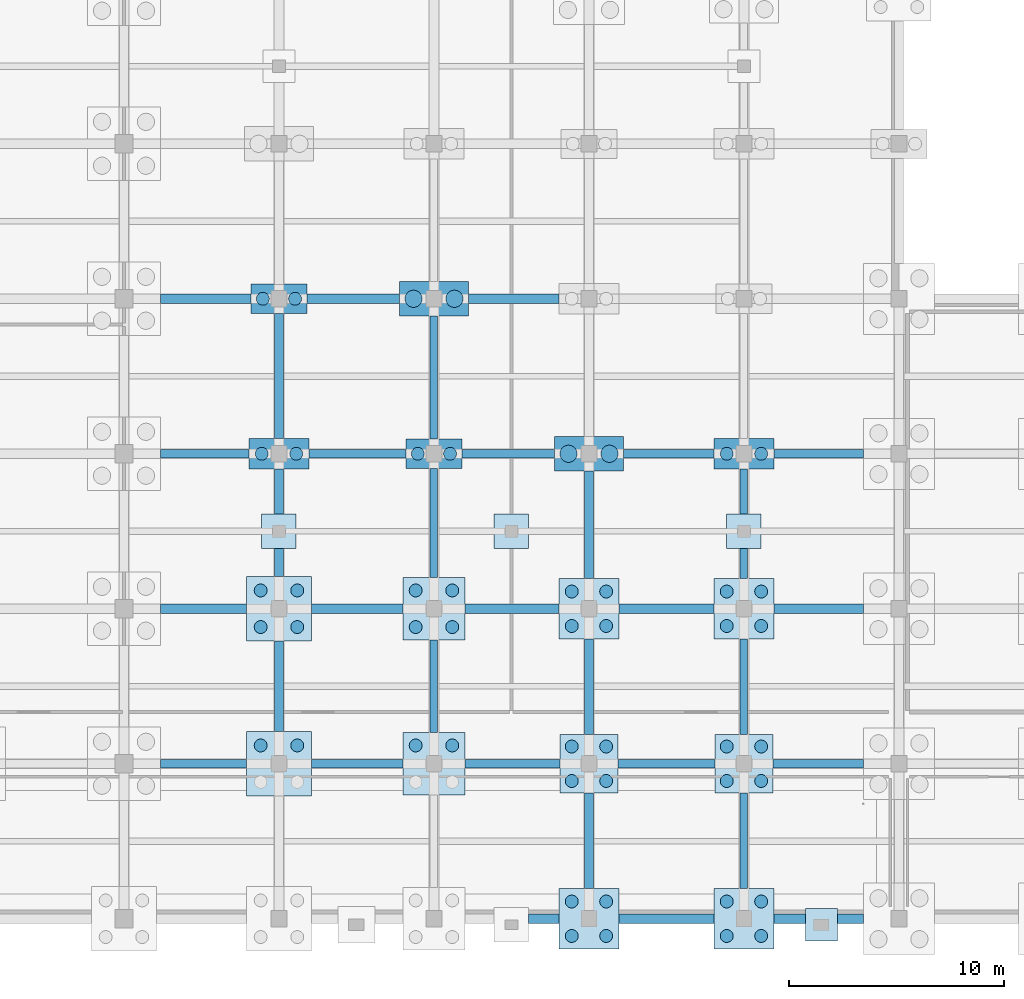
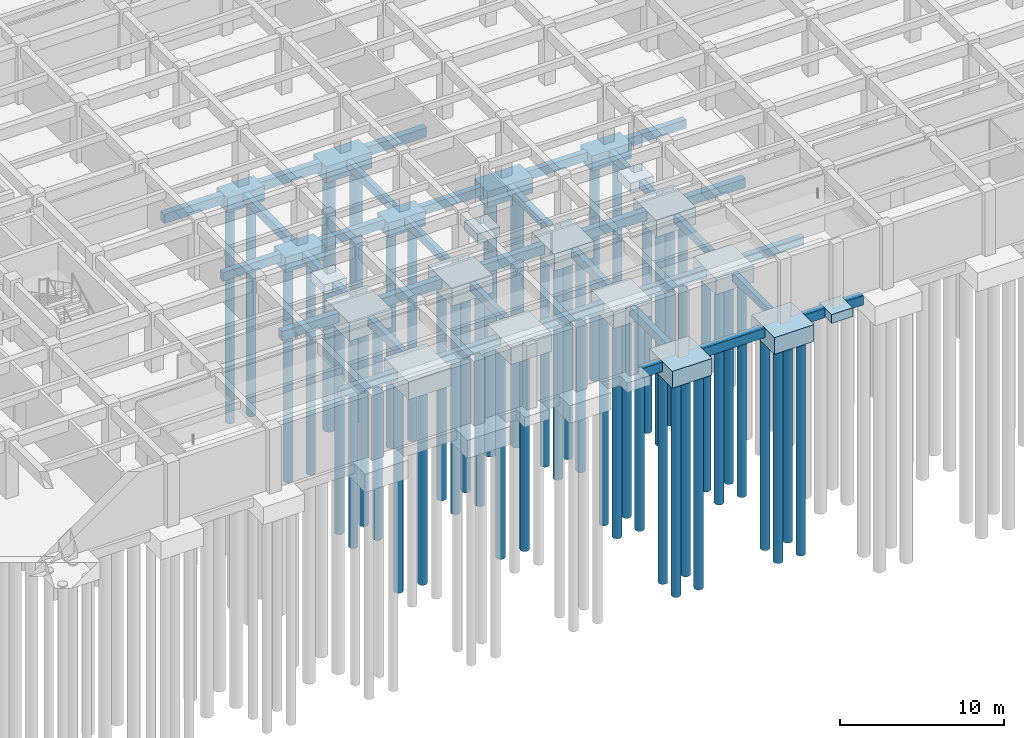
# One storey, part 2 of 28: 56 footings, 48 piles.
"""IFC4 building model written with IfcOpenShell, lengths in metres."""

from ifc_helpers import new_model, si_unit, direction, frame, origin, origin_2d, place, context, subcontext, project, spatial, rectangle, circle, extrude, material, material_profile, profile_set, type_object, element, save


model = new_model("IFC4")

# Units and contexts
model_context = context("Model", 3, precision=1e-05, world=origin(), true_north=direction((0.0, 1.0)))
body_context = subcontext(model_context, "Body", "Model", "MODEL_VIEW")
ifc_project = project(units=[si_unit("LENGTHUNIT", "METRE"), si_unit("AREAUNIT", "SQUARE_METRE"), si_unit("VOLUMEUNIT", "CUBIC_METRE"), si_unit("PLANEANGLEUNIT", "RADIAN"), si_unit("MASSUNIT", "GRAM", prefix="KILO")], contexts=[model_context])

# Site, building, storey
site_placement = place(None, origin())
site = spatial("IfcSite", under=ifc_project, at=site_placement, CompositionType="ELEMENT")
building_placement = place(site_placement, origin())
building = spatial("IfcBuilding", under=site, at=building_placement, Name="Alvorim Cloister Faculty of Sciences", CompositionType="ELEMENT")
storey_placement = place(building_placement, frame((0.0, 0.0, -4.5)))
storey = spatial("IfcBuildingStorey", under=building, at=storey_placement, Name="B01", CompositionType="ELEMENT", Elevation=-4.5)

# Footings
ifc_material_1 = material(Name="Concrete C40", Category="concrete")
footing_type_1 = type_object("IfcFootingType", Name="FT-PAD-1500x1500x650", PredefinedType="PAD_FOOTING", material=ifc_material_1)
footing_1_placement = place(storey_placement, frame((61.199951171875, -0.280029296875, -0.949951171875), z_axis=(0.0, 0.0, 1.0), x_axis=(1.0, 0.0, 0.0)))
element("IfcFooting", 1, at=footing_1_placement, inside=storey, type_object=footing_type_1, Name="Buttress Pad Footing FT-0521", PredefinedType="PAD_FOOTING", context=body_context, shape_type="SweptSolid", body=[
    extrude(rectangle(XDim=1.5, YDim=1.5, at=origin_2d()), origin(), (0.0, 0.0, 1.0), 0.64990234375),
])
footing_type_2 = type_object("IfcFootingType", Name="FT-PAD-1600x1600x700", PredefinedType="PAD_FOOTING", material=ifc_material_1)
for number, where, z_axis, x_axis, name in (
    (2, (36.0, 18.0, -1.0), (0.0, 0.0, 1.0), (1.0, 0.0, 0.0), "Plaza Pad Footing FT-0503"),
    (3, (46.800048828125, 18.0, -1.0), (0.0, 0.0, 1.0), (1.0, 0.0, 0.0), "Plaza Pad Footing FT-0504"),
    (4, (57.60009765625, 18.0, -1.0), (0.0, 0.0, 1.0), (1.0, 0.0, 0.0), "Plaza Pad Footing FT-0505"),
):
    element("IfcFooting", number, at=place(storey_placement, frame(where, z_axis=z_axis, x_axis=x_axis)), inside=storey, type_object=footing_type_2, Name=name, PredefinedType="PAD_FOOTING", context=body_context, shape_type="SweptSolid", body=[
        extrude(rectangle(XDim=1.60009765625, YDim=1.60009765625, at=origin_2d()), origin(), (0.0, 0.0, 1.0), 0.699951171875),
    ])
footing_type_3 = type_object("IfcFootingType", Name="FT-PC-2600x1350x1100", PredefinedType="PILE_CAP", material=ifc_material_1)
for number, where, z_axis, x_axis, name in (
    (5, (36.0, 28.800048828125, -1.400146484375), (0.0, 0.0, 1.0), (1.0, 0.0, 0.0), "B01 Pile Cap FT-0089"),
    (6, (43.199951171875, 21.60009765625, -1.400146484375), (0.0, 0.0, 1.0), (1.0, 0.0, 0.0), "B01 Pile Cap FT-0097"),
):
    element("IfcFooting", number, at=place(storey_placement, frame(where, z_axis=z_axis, x_axis=x_axis)), inside=storey, type_object=footing_type_3, Name=name, PredefinedType="PILE_CAP", context=body_context, shape_type="SweptSolid", body=[
        extrude(rectangle(XDim=2.60009765625, YDim=1.35009765625, at=origin_2d()), origin(), (0.0, 0.0, 1.0), 1.10009765625),
    ])
footing_type_4 = type_object("IfcFootingType", Name="FT-PC-2700x2700x1220", PredefinedType="PILE_CAP", material=ifc_material_1)
for number, where, z_axis, x_axis, name in (
    (7, (50.39990234375, 7.199951171875, -1.52001953125), (0.0, 0.0, 1.0), (1.0, 0.0, 0.0), "B01 Pile Cap FT-0104"),
    (8, (57.60009765625, 7.199951171875, -1.52001953125), (0.0, 0.0, 1.0), (1.0, 0.0, 0.0), "B01 Pile Cap FT-0113"),
):
    element("IfcFooting", number, at=place(storey_placement, frame(where, z_axis=z_axis, x_axis=x_axis)), inside=storey, type_object=footing_type_4, Name=name, PredefinedType="PILE_CAP", context=body_context, shape_type="SweptSolid", body=[
        extrude(rectangle(XDim=2.699951171875, YDim=2.699951171875, at=origin_2d()), origin(), (0.0, 0.0, 1.0), 1.219970703125),
    ])
footing_type_5 = type_object("IfcFootingType", Name="FT-PC-2800x1400x1150", PredefinedType="PILE_CAP", material=ifc_material_1)
for number, where, z_axis, x_axis, name in (
    (9, (36.0, 21.60009765625, -1.449951171875), (0.0, 0.0, 1.0), (1.0, 0.0, 0.0), "B01 Pile Cap FT-0088"),
    (10, (57.60009765625, 21.60009765625, -1.449951171875), (0.0, 0.0, 1.0), (1.0, 0.0, 0.0), "B01 Pile Cap FT-0115"),
):
    element("IfcFooting", number, at=place(storey_placement, frame(where, z_axis=z_axis, x_axis=x_axis)), inside=storey, type_object=footing_type_5, Name=name, PredefinedType="PILE_CAP", context=body_context, shape_type="SweptSolid", body=[
        extrude(rectangle(XDim=2.800048828125, YDim=1.39990234375, at=origin_2d()), origin(), (0.0, 0.0, 1.0), 1.14990234375),
    ])
footing_type_6 = type_object("IfcFootingType", Name="FT-PC-2800x2800x1250", PredefinedType="PILE_CAP", material=ifc_material_1)
for number, where, z_axis, x_axis, name in (
    (11, (50.39990234375, 0.0, -1.550048828125), (0.0, 0.0, 1.0), (1.0, 0.0, 0.0), "B01 Pile Cap FT-0103"),
    (12, (50.39990234375, 14.39990234375, -1.550048828125), (0.0, 0.0, 1.0), (1.0, 0.0, 0.0), "B01 Pile Cap FT-0105"),
    (13, (57.60009765625, 0.0, -1.550048828125), (0.0, 0.0, 1.0), (1.0, 0.0, 0.0), "B01 Pile Cap FT-0112"),
    (14, (57.60009765625, 14.39990234375, -1.550048828125), (0.0, 0.0, 1.0), (1.0, 0.0, 0.0), "B01 Pile Cap FT-0114"),
):
    element("IfcFooting", number, at=place(storey_placement, frame(where, z_axis=z_axis, x_axis=x_axis)), inside=storey, type_object=footing_type_6, Name=name, PredefinedType="PILE_CAP", context=body_context, shape_type="SweptSolid", body=[
        extrude(rectangle(XDim=2.800048828125, YDim=2.800048828125, at=origin_2d()), origin(), (0.0, 0.0, 1.0), 1.25),
    ])
footing_type_7 = type_object("IfcFootingType", Name="FT-PC-2900x2900x1300", PredefinedType="PILE_CAP", material=ifc_material_1)
for number, where, z_axis, x_axis, name in (
    (15, (43.199951171875, 7.199951171875, -1.60009765625), (0.0, 0.0, 1.0), (1.0, 0.0, 0.0), "B01 Pile Cap FT-0095"),
    (16, (43.199951171875, 14.39990234375, -1.60009765625), (0.0, 0.0, 1.0), (1.0, 0.0, 0.0), "B01 Pile Cap FT-0096"),
):
    element("IfcFooting", number, at=place(storey_placement, frame(where, z_axis=z_axis, x_axis=x_axis)), inside=storey, type_object=footing_type_7, Name=name, PredefinedType="PILE_CAP", context=body_context, shape_type="SweptSolid", body=[
        extrude(rectangle(XDim=2.89990234375, YDim=2.89990234375, at=origin_2d()), origin(), (0.0, 0.0, 1.0), 1.300048828125),
    ])
footing_type_8 = type_object("IfcFootingType", Name="FT-PC-3000x3000x1350", PredefinedType="PILE_CAP", material=ifc_material_1)
for number, where, z_axis, x_axis, name in (
    (17, (36.0, 7.199951171875, -1.650146484375), (0.0, 0.0, 1.0), (1.0, 0.0, 0.0), "B01 Pile Cap FT-0086"),
    (18, (36.0, 14.39990234375, -1.650146484375), (0.0, 0.0, 1.0), (1.0, 0.0, 0.0), "B01 Pile Cap FT-0087"),
):
    element("IfcFooting", number, at=place(storey_placement, frame(where, z_axis=z_axis, x_axis=x_axis)), inside=storey, type_object=footing_type_8, Name=name, PredefinedType="PILE_CAP", context=body_context, shape_type="SweptSolid", body=[
        extrude(rectangle(XDim=3.0, YDim=3.0, at=origin_2d()), origin(), (0.0, 0.0, 1.0), 1.35009765625),
    ])
footing_type_9 = type_object("IfcFootingType", Name="FT-PC-3200x1600x1200", PredefinedType="PILE_CAP", material=ifc_material_1)
for number, where, z_axis, x_axis, name in (
    (19, (43.199951171875, 28.800048828125, -1.5), (0.0, 0.0, 1.0), (1.0, 0.0, 0.0), "B01 Pile Cap FT-0098"),
    (20, (50.39990234375, 21.60009765625, -1.5), (0.0, 0.0, 1.0), (1.0, 0.0, 0.0), "B01 Pile Cap FT-0106"),
):
    element("IfcFooting", number, at=place(storey_placement, frame(where, z_axis=z_axis, x_axis=x_axis)), inside=storey, type_object=footing_type_9, Name=name, PredefinedType="PILE_CAP", context=body_context, shape_type="SweptSolid", body=[
        extrude(rectangle(XDim=3.199951171875, YDim=1.60009765625, at=origin_2d()), origin(), (0.0, 0.0, 1.0), 1.199951171875),
    ])
footing_type_10 = type_object("IfcFootingType", Name="FT-TB-350x600", PredefinedType="FOOTING_BEAM", material=ifc_material_1)
footing_2_placement = place(storey_placement, frame((43.199951171875, 10.800048828125, -0.900146484375), z_axis=(0.0, 0.0, 1.0), x_axis=(1.0, 0.0, 0.0)))
element("IfcFooting", 21, at=footing_2_placement, inside=storey, type_object=footing_type_10, Name="Ground Tie Beam FT-0331", PredefinedType="FOOTING_BEAM", context=body_context, shape_type="SweptSolid", body=[
    extrude(rectangle(XDim=0.35009765625, YDim=4.300048828125, at=origin_2d()), origin(), (0.0, 0.0, 1.0), 0.60009765625),
])
footing_3_placement = place(storey_placement, frame((43.199951171875, 18.387451171875, -0.900146484375), z_axis=(0.0, 0.0, 1.0), x_axis=(1.0, 0.0, 0.0)))
element("IfcFooting", 22, at=footing_3_placement, inside=storey, type_object=footing_type_10, Name="Ground Tie Beam FT-0333", PredefinedType="FOOTING_BEAM", context=body_context, shape_type="SweptSolid", body=[
    extrude(rectangle(XDim=0.35009765625, YDim=5.074951171875, at=origin_2d()), origin(), (0.0, 0.0, 1.0), 0.60009765625),
])
footing_4_placement = place(storey_placement, frame((43.199951171875, 25.137451171875, -0.900146484375), z_axis=(0.0, 0.0, 1.0), x_axis=(1.0, 0.0, 0.0)))
element("IfcFooting", 23, at=footing_4_placement, inside=storey, type_object=footing_type_10, Name="Ground Tie Beam FT-0335", PredefinedType="FOOTING_BEAM", context=body_context, shape_type="SweptSolid", body=[
    extrude(rectangle(XDim=0.35009765625, YDim=5.72509765625, at=origin_2d()), origin(), (0.0, 0.0, 1.0), 0.60009765625),
])
for number, where, z_axis, x_axis, name in (
    (24, (57.60009765625, 3.625, -0.900146484375), (0.0, 0.0, 1.0), (1.0, 0.0, 0.0), "Ground Tie Beam FT-0357"),
    (25, (57.60009765625, 10.77490234375, -0.900146484375), (0.0, 0.0, 1.0), (1.0, 0.0, 0.0), "Ground Tie Beam FT-0360"),
):
    element("IfcFooting", number, at=place(storey_placement, frame(where, z_axis=z_axis, x_axis=x_axis)), inside=storey, type_object=footing_type_10, Name=name, PredefinedType="FOOTING_BEAM", context=body_context, shape_type="SweptSolid", body=[
        extrude(rectangle(XDim=0.35009765625, YDim=4.449951171875, at=origin_2d()), origin(), (0.0, 0.0, 1.0), 0.60009765625),
    ])
footing_5_placement = place(storey_placement, frame((57.60009765625, 16.5, -0.900146484375), z_axis=(0.0, 0.0, 1.0), x_axis=(1.0, 0.0, 0.0)))
element("IfcFooting", 26, at=footing_5_placement, inside=storey, type_object=footing_type_10, Name="Ground Tie Beam FT-0362", PredefinedType="FOOTING_BEAM", context=body_context, shape_type="SweptSolid", body=[
    extrude(rectangle(XDim=0.35009765625, YDim=1.39990234375, at=origin_2d()), origin(), (0.0, 0.0, 1.0), 0.60009765625),
])
footing_6_placement = place(storey_placement, frame((57.60009765625, 19.85009765625, -0.900146484375), z_axis=(0.0, 0.0, 1.0), x_axis=(1.0, 0.0, 0.0)))
element("IfcFooting", 27, at=footing_6_placement, inside=storey, type_object=footing_type_10, Name="Ground Tie Beam FT-0363", PredefinedType="FOOTING_BEAM", context=body_context, shape_type="SweptSolid", body=[
    extrude(rectangle(XDim=0.35009765625, YDim=2.10009765625, at=origin_2d()), origin(), (0.0, 0.0, 1.0), 0.60009765625),
])
footing_type_11 = type_object("IfcFootingType", Name="FT-TB-400x650", PredefinedType="FOOTING_BEAM", material=ifc_material_1)
footing_7_placement = place(storey_placement, frame((32.5, 7.199951171875, -0.949951171875), z_axis=(0.0, 0.0, 1.0), x_axis=(1.0, 0.0, 0.0)))
element("IfcFooting", 28, at=footing_7_placement, inside=storey, type_object=footing_type_11, Name="Ground Tie Beam FT-0297", PredefinedType="FOOTING_BEAM", context=body_context, shape_type="SweptSolid", body=[
    extrude(rectangle(XDim=4.0, YDim=0.39990234375, at=origin_2d()), origin(), (0.0, 0.0, 1.0), 0.64990234375),
])
footing_8_placement = place(storey_placement, frame((32.550048828125, 21.60009765625, -0.949951171875), z_axis=(0.0, 0.0, 1.0), x_axis=(1.0, 0.0, 0.0)))
element("IfcFooting", 29, at=footing_8_placement, inside=storey, type_object=footing_type_11, Name="Ground Tie Beam FT-0301", PredefinedType="FOOTING_BEAM", context=body_context, shape_type="SweptSolid", body=[
    extrude(rectangle(XDim=4.10009765625, YDim=0.39990234375, at=origin_2d()), origin(), (0.0, 0.0, 1.0), 0.64990234375),
])
footing_9_placement = place(storey_placement, frame((36.0, 10.800048828125, -0.949951171875), z_axis=(0.0, 0.0, 1.0), x_axis=(1.0, 0.0, 0.0)))
element("IfcFooting", 30, at=footing_9_placement, inside=storey, type_object=footing_type_11, Name="Ground Tie Beam FT-0318", PredefinedType="FOOTING_BEAM", context=body_context, shape_type="SweptSolid", body=[
    extrude(rectangle(XDim=0.39990234375, YDim=4.199951171875, at=origin_2d()), origin(), (0.0, 0.0, 1.0), 0.64990234375),
])
footing_10_placement = place(storey_placement, frame((39.625, 7.199951171875, -0.949951171875), z_axis=(0.0, 0.0, 1.0), x_axis=(1.0, 0.0, 0.0)))
element("IfcFooting", 31, at=footing_10_placement, inside=storey, type_object=footing_type_11, Name="Ground Tie Beam FT-0319", PredefinedType="FOOTING_BEAM", context=body_context, shape_type="SweptSolid", body=[
    extrude(rectangle(XDim=4.25, YDim=0.39990234375, at=origin_2d()), origin(), (0.0, 0.0, 1.0), 0.64990234375),
])
footing_11_placement = place(storey_placement, frame((36.0, 16.550048828125, -0.949951171875), z_axis=(0.0, 0.0, 1.0), x_axis=(1.0, 0.0, 0.0)))
element("IfcFooting", 32, at=footing_11_placement, inside=storey, type_object=footing_type_11, Name="Ground Tie Beam FT-0320", PredefinedType="FOOTING_BEAM", context=body_context, shape_type="SweptSolid", body=[
    extrude(rectangle(XDim=0.39990234375, YDim=1.300048828125, at=origin_2d()), origin(), (0.0, 0.0, 1.0), 0.64990234375),
])
footing_12_placement = place(storey_placement, frame((36.0, 19.85009765625, -0.949951171875), z_axis=(0.0, 0.0, 1.0), x_axis=(1.0, 0.0, 0.0)))
element("IfcFooting", 33, at=footing_12_placement, inside=storey, type_object=footing_type_11, Name="Ground Tie Beam FT-0321", PredefinedType="FOOTING_BEAM", context=body_context, shape_type="SweptSolid", body=[
    extrude(rectangle(XDim=0.39990234375, YDim=2.10009765625, at=origin_2d()), origin(), (0.0, 0.0, 1.0), 0.64990234375),
])
footing_13_placement = place(storey_placement, frame((36.0, 25.21240234375, -0.949951171875), z_axis=(0.0, 0.0, 1.0), x_axis=(1.0, 0.0, 0.0)))
element("IfcFooting", 34, at=footing_13_placement, inside=storey, type_object=footing_type_11, Name="Ground Tie Beam FT-0323", PredefinedType="FOOTING_BEAM", context=body_context, shape_type="SweptSolid", body=[
    extrude(rectangle(XDim=0.39990234375, YDim=5.824951171875, at=origin_2d()), origin(), (0.0, 0.0, 1.0), 0.64990234375),
])
footing_14_placement = place(storey_placement, frame((39.64990234375, 21.60009765625, -0.949951171875), z_axis=(0.0, 0.0, 1.0), x_axis=(1.0, 0.0, 0.0)))
element("IfcFooting", 35, at=footing_14_placement, inside=storey, type_object=footing_type_11, Name="Ground Tie Beam FT-0324", PredefinedType="FOOTING_BEAM", context=body_context, shape_type="SweptSolid", body=[
    extrude(rectangle(XDim=4.5, YDim=0.39990234375, at=origin_2d()), origin(), (0.0, 0.0, 1.0), 0.64990234375),
])
footing_15_placement = place(storey_placement, frame((46.85009765625, 7.199951171875, -0.949951171875), z_axis=(0.0, 0.0, 1.0), x_axis=(1.0, 0.0, 0.0)))
element("IfcFooting", 36, at=footing_15_placement, inside=storey, type_object=footing_type_11, Name="Ground Tie Beam FT-0332", PredefinedType="FOOTING_BEAM", context=body_context, shape_type="SweptSolid", body=[
    extrude(rectangle(XDim=4.39990234375, YDim=0.39990234375, at=origin_2d()), origin(), (0.0, 0.0, 1.0), 0.64990234375),
])
footing_16_placement = place(storey_placement, frame((46.64990234375, 21.60009765625, -0.949951171875), z_axis=(0.0, 0.0, 1.0), x_axis=(1.0, 0.0, 0.0)))
element("IfcFooting", 37, at=footing_16_placement, inside=storey, type_object=footing_type_11, Name="Ground Tie Beam FT-0336", PredefinedType="FOOTING_BEAM", context=body_context, shape_type="SweptSolid", body=[
    extrude(rectangle(XDim=4.300048828125, YDim=0.39990234375, at=origin_2d()), origin(), (0.0, 0.0, 1.0), 0.64990234375),
])
for number, where, z_axis, x_axis, name in (
    (38, (50.39990234375, 3.625, -0.949951171875), (0.0, 0.0, 1.0), (1.0, 0.0, 0.0), "Ground Tie Beam FT-0340"),
    (39, (50.39990234375, 10.77490234375, -0.949951171875), (0.0, 0.0, 1.0), (1.0, 0.0, 0.0), "Ground Tie Beam FT-0342"),
):
    element("IfcFooting", number, at=place(storey_placement, frame(where, z_axis=z_axis, x_axis=x_axis)), inside=storey, type_object=footing_type_11, Name=name, PredefinedType="FOOTING_BEAM", context=body_context, shape_type="SweptSolid", body=[
        extrude(rectangle(XDim=0.39990234375, YDim=4.449951171875, at=origin_2d()), origin(), (0.0, 0.0, 1.0), 0.64990234375),
    ])
footing_17_placement = place(storey_placement, frame((54.0, 7.199951171875, -0.949951171875), z_axis=(0.0, 0.0, 1.0), x_axis=(1.0, 0.0, 0.0)))
element("IfcFooting", 40, at=footing_17_placement, inside=storey, type_object=footing_type_11, Name="Ground Tie Beam FT-0343", PredefinedType="FOOTING_BEAM", context=body_context, shape_type="SweptSolid", body=[
    extrude(rectangle(XDim=4.5, YDim=0.39990234375, at=origin_2d()), origin(), (0.0, 0.0, 1.0), 0.64990234375),
])
footing_18_placement = place(storey_placement, frame((50.39990234375, 18.300048828125, -0.949951171875), z_axis=(0.0, 0.0, 1.0), x_axis=(1.0, 0.0, 0.0)))
element("IfcFooting", 41, at=footing_18_placement, inside=storey, type_object=footing_type_11, Name="Ground Tie Beam FT-0344", PredefinedType="FOOTING_BEAM", context=body_context, shape_type="SweptSolid", body=[
    extrude(rectangle(XDim=0.39990234375, YDim=5.0, at=origin_2d()), origin(), (0.0, 0.0, 1.0), 0.64990234375),
])
for number, where, z_axis, x_axis, name in (
    (42, (54.10009765625, 21.60009765625, -0.949951171875), (0.0, 0.0, 1.0), (1.0, 0.0, 0.0), "Ground Tie Beam FT-0347"),
    (43, (61.050048828125, 7.199951171875, -0.949951171875), (0.0, 0.0, 1.0), (1.0, 0.0, 0.0), "Ground Tie Beam FT-0361"),
):
    element("IfcFooting", number, at=place(storey_placement, frame(where, z_axis=z_axis, x_axis=x_axis)), inside=storey, type_object=footing_type_11, Name=name, PredefinedType="FOOTING_BEAM", context=body_context, shape_type="SweptSolid", body=[
        extrude(rectangle(XDim=4.199951171875, YDim=0.39990234375, at=origin_2d()), origin(), (0.0, 0.0, 1.0), 0.64990234375),
    ])
footing_19_placement = place(storey_placement, frame((61.074951171875, 21.60009765625, -0.949951171875), z_axis=(0.0, 0.0, 1.0), x_axis=(1.0, 0.0, 0.0)))
element("IfcFooting", 44, at=footing_19_placement, inside=storey, type_object=footing_type_11, Name="Ground Tie Beam FT-0366", PredefinedType="FOOTING_BEAM", context=body_context, shape_type="SweptSolid", body=[
    extrude(rectangle(XDim=4.14990234375, YDim=0.39990234375, at=origin_2d()), origin(), (0.0, 0.0, 1.0), 0.64990234375),
])
footing_type_12 = type_object("IfcFootingType", Name="FT-TB-450x700", PredefinedType="FOOTING_BEAM", material=ifc_material_1)
footing_20_placement = place(storey_placement, frame((32.5, 14.39990234375, -1.0), z_axis=(0.0, 0.0, 1.0), x_axis=(1.0, 0.0, 0.0)))
element("IfcFooting", 45, at=footing_20_placement, inside=storey, type_object=footing_type_12, Name="Ground Tie Beam FT-0299", PredefinedType="FOOTING_BEAM", context=body_context, shape_type="SweptSolid", body=[
    extrude(rectangle(XDim=4.0, YDim=0.449951171875, at=origin_2d()), origin(), (0.0, 0.0, 1.0), 0.699951171875),
])
footing_21_placement = place(storey_placement, frame((32.60009765625, 28.800048828125, -1.0), z_axis=(0.0, 0.0, 1.0), x_axis=(1.0, 0.0, 0.0)))
element("IfcFooting", 46, at=footing_21_placement, inside=storey, type_object=footing_type_12, Name="Ground Tie Beam FT-0303", PredefinedType="FOOTING_BEAM", context=body_context, shape_type="SweptSolid", body=[
    extrude(rectangle(XDim=4.199951171875, YDim=0.449951171875, at=origin_2d()), origin(), (0.0, 0.0, 1.0), 0.699951171875),
])
footing_22_placement = place(storey_placement, frame((39.625, 14.39990234375, -1.0), z_axis=(0.0, 0.0, 1.0), x_axis=(1.0, 0.0, 0.0)))
element("IfcFooting", 47, at=footing_22_placement, inside=storey, type_object=footing_type_12, Name="Ground Tie Beam FT-0322", PredefinedType="FOOTING_BEAM", context=body_context, shape_type="SweptSolid", body=[
    extrude(rectangle(XDim=4.25, YDim=0.449951171875, at=origin_2d()), origin(), (0.0, 0.0, 1.0), 0.699951171875),
])
footing_23_placement = place(storey_placement, frame((39.449951171875, 28.800048828125, -1.0), z_axis=(0.0, 0.0, 1.0), x_axis=(1.0, 0.0, 0.0)))
element("IfcFooting", 48, at=footing_23_placement, inside=storey, type_object=footing_type_12, Name="Ground Tie Beam FT-0326", PredefinedType="FOOTING_BEAM", context=body_context, shape_type="SweptSolid", body=[
    extrude(rectangle(XDim=4.300048828125, YDim=0.449951171875, at=origin_2d()), origin(), (0.0, 0.0, 1.0), 0.699951171875),
])
footing_24_placement = place(storey_placement, frame((48.300048828125, 0.0, -1.0), z_axis=(0.0, 0.0, 1.0), x_axis=(1.0, 0.0, 0.0)))
element("IfcFooting", 49, at=footing_24_placement, inside=storey, type_object=footing_type_12, Name="Ground Tie Beam FT-0330", PredefinedType="FOOTING_BEAM", context=body_context, shape_type="SweptSolid", body=[
    extrude(rectangle(XDim=1.39990234375, YDim=0.449951171875, at=origin_2d()), origin(), (0.0, 0.0, 1.0), 0.699951171875),
])
footing_25_placement = place(storey_placement, frame((46.824951171875, 14.39990234375, -1.0), z_axis=(0.0, 0.0, 1.0), x_axis=(1.0, 0.0, 0.0)))
element("IfcFooting", 50, at=footing_25_placement, inside=storey, type_object=footing_type_12, Name="Ground Tie Beam FT-0334", PredefinedType="FOOTING_BEAM", context=body_context, shape_type="SweptSolid", body=[
    extrude(rectangle(XDim=4.35009765625, YDim=0.449951171875, at=origin_2d()), origin(), (0.0, 0.0, 1.0), 0.699951171875),
])
footing_26_placement = place(storey_placement, frame((46.89990234375, 28.800048828125, -1.0), z_axis=(0.0, 0.0, 1.0), x_axis=(1.0, 0.0, 0.0)))
element("IfcFooting", 51, at=footing_26_placement, inside=storey, type_object=footing_type_12, Name="Ground Tie Beam FT-0338", PredefinedType="FOOTING_BEAM", context=body_context, shape_type="SweptSolid", body=[
    extrude(rectangle(XDim=4.199951171875, YDim=0.449951171875, at=origin_2d()), origin(), (0.0, 0.0, 1.0), 0.699951171875),
])
for number, where, z_axis, x_axis, name in (
    (52, (54.0, 0.0, -1.0), (0.0, 0.0, 1.0), (1.0, 0.0, 0.0), "Ground Tie Beam FT-0341"),
    (53, (54.0, 14.39990234375, -1.0), (0.0, 0.0, 1.0), (1.0, 0.0, 0.0), "Ground Tie Beam FT-0345"),
):
    element("IfcFooting", number, at=place(storey_placement, frame(where, z_axis=z_axis, x_axis=x_axis)), inside=storey, type_object=footing_type_12, Name=name, PredefinedType="FOOTING_BEAM", context=body_context, shape_type="SweptSolid", body=[
        extrude(rectangle(XDim=4.39990234375, YDim=0.449951171875, at=origin_2d()), origin(), (0.0, 0.0, 1.0), 0.699951171875),
    ])
footing_27_placement = place(storey_placement, frame((59.72509765625, 0.0, -1.0), z_axis=(0.0, 0.0, 1.0), x_axis=(1.0, 0.0, 0.0)))
element("IfcFooting", 54, at=footing_27_placement, inside=storey, type_object=footing_type_12, Name="Ground Tie Beam FT-0358", PredefinedType="FOOTING_BEAM", context=body_context, shape_type="SweptSolid", body=[
    extrude(rectangle(XDim=1.449951171875, YDim=0.449951171875, at=origin_2d()), origin(), (0.0, 0.0, 1.0), 0.699951171875),
])
footing_28_placement = place(storey_placement, frame((62.550048828125, 0.0, -1.0), z_axis=(0.0, 0.0, 1.0), x_axis=(1.0, 0.0, 0.0)))
element("IfcFooting", 55, at=footing_28_placement, inside=storey, type_object=footing_type_12, Name="Ground Tie Beam FT-0359", PredefinedType="FOOTING_BEAM", context=body_context, shape_type="SweptSolid", body=[
    extrude(rectangle(XDim=1.199951171875, YDim=0.449951171875, at=origin_2d()), origin(), (0.0, 0.0, 1.0), 0.699951171875),
])
footing_29_placement = place(storey_placement, frame((61.074951171875, 14.39990234375, -1.0), z_axis=(0.0, 0.0, 1.0), x_axis=(1.0, 0.0, 0.0)))
element("IfcFooting", 56, at=footing_29_placement, inside=storey, type_object=footing_type_12, Name="Ground Tie Beam FT-0364", PredefinedType="FOOTING_BEAM", context=body_context, shape_type="SweptSolid", body=[
    extrude(rectangle(XDim=4.14990234375, YDim=0.449951171875, at=origin_2d()), origin(), (0.0, 0.0, 1.0), 0.699951171875),
])

# Piles
ifc_material_2 = material(Name="Concrete C30", Category="concrete")
ifc_material_profile_1 = material_profile(ifc_material_2, circle(Radius=0.300048828125, at=origin_2d()), Name="PILE-D600")
ifc_profile_set_1 = profile_set([ifc_material_profile_1], Name="Concrete C30")
pile_type_1 = type_object("IfcPileType", Name="PL-BORED-D600", PredefinedType="BORED", material=ifc_profile_set_1)
for number, where, z_axis, x_axis, name in (
    (57, (35.14990234375, 8.050048828125, -1.550048828125), (0.0, 0.0, -1.0), (1.0, 0.0, 0.0), "Bored Pile PL-0343"),
    (58, (36.85009765625, 8.050048828125, -1.550048828125), (0.0, 0.0, -1.0), (1.0, 0.0, 0.0), "Bored Pile PL-0344"),
    (59, (35.14990234375, 13.550048828125, -1.550048828125), (0.0, 0.0, -1.0), (1.0, 0.0, 0.0), "Bored Pile PL-0345"),
    (60, (36.85009765625, 13.550048828125, -1.550048828125), (0.0, 0.0, -1.0), (1.0, 0.0, 0.0), "Bored Pile PL-0346"),
    (61, (35.14990234375, 15.25, -1.550048828125), (0.0, 0.0, -1.0), (1.0, 0.0, 0.0), "Bored Pile PL-0347"),
    (62, (36.85009765625, 15.25, -1.550048828125), (0.0, 0.0, -1.0), (1.0, 0.0, 0.0), "Bored Pile PL-0348"),
):
    element("IfcPile", number, at=place(storey_placement, frame(where, z_axis=z_axis, x_axis=x_axis)), inside=storey, type_object=pile_type_1, Name=name, PredefinedType="BORED", context=body_context, shape_type="SweptSolid", body=[
        extrude(circle(Radius=0.300048828125, at=origin_2d()), origin(), (0.0, 0.0, 1.0), 15.949951171875),
    ])
for number, where, z_axis, x_axis, name in (
    (63, (35.199951171875, 21.60009765625, -1.35009765625), (0.0, 0.0, -1.0), (1.0, 0.0, 0.0), "Bored Pile PL-0349"),
    (64, (36.800048828125, 21.60009765625, -1.35009765625), (0.0, 0.0, -1.0), (1.0, 0.0, 0.0), "Bored Pile PL-0350"),
):
    element("IfcPile", number, at=place(storey_placement, frame(where, z_axis=z_axis, x_axis=x_axis)), inside=storey, type_object=pile_type_1, Name=name, PredefinedType="BORED", context=body_context, shape_type="SweptSolid", body=[
        extrude(circle(Radius=0.300048828125, at=origin_2d()), origin(), (0.0, 0.0, 1.0), 16.14990234375),
    ])
for number, where, z_axis, x_axis, name in (
    (65, (35.25, 28.800048828125, -1.300048828125), (0.0, 0.0, -1.0), (1.0, 0.0, 0.0), "Bored Pile PL-0351"),
    (66, (36.75, 28.800048828125, -1.300048828125), (0.0, 0.0, -1.0), (1.0, 0.0, 0.0), "Bored Pile PL-0352"),
):
    element("IfcPile", number, at=place(storey_placement, frame(where, z_axis=z_axis, x_axis=x_axis)), inside=storey, type_object=pile_type_1, Name=name, PredefinedType="BORED", context=body_context, shape_type="SweptSolid", body=[
        extrude(circle(Radius=0.300048828125, at=origin_2d()), origin(), (0.0, 0.0, 1.0), 16.199951171875),
    ])
for number, where, z_axis, x_axis, name in (
    (67, (42.35009765625, 8.050048828125, -1.5), (0.0, 0.0, -1.0), (1.0, 0.0, 0.0), "Bored Pile PL-0373"),
    (68, (44.050048828125, 8.050048828125, -1.5), (0.0, 0.0, -1.0), (1.0, 0.0, 0.0), "Bored Pile PL-0374"),
    (69, (42.35009765625, 13.550048828125, -1.5), (0.0, 0.0, -1.0), (1.0, 0.0, 0.0), "Bored Pile PL-0375"),
    (70, (44.050048828125, 13.550048828125, -1.5), (0.0, 0.0, -1.0), (1.0, 0.0, 0.0), "Bored Pile PL-0376"),
    (71, (42.35009765625, 15.25, -1.5), (0.0, 0.0, -1.0), (1.0, 0.0, 0.0), "Bored Pile PL-0377"),
    (72, (44.050048828125, 15.25, -1.5), (0.0, 0.0, -1.0), (1.0, 0.0, 0.0), "Bored Pile PL-0378"),
):
    element("IfcPile", number, at=place(storey_placement, frame(where, z_axis=z_axis, x_axis=x_axis)), inside=storey, type_object=pile_type_1, Name=name, PredefinedType="BORED", context=body_context, shape_type="SweptSolid", body=[
        extrude(circle(Radius=0.300048828125, at=origin_2d()), origin(), (0.0, 0.0, 1.0), 16.0),
    ])
for number, where, z_axis, x_axis, name in (
    (73, (42.449951171875, 21.60009765625, -1.300048828125), (0.0, 0.0, -1.0), (1.0, 0.0, 0.0), "Bored Pile PL-0379"),
    (74, (43.949951171875, 21.60009765625, -1.300048828125), (0.0, 0.0, -1.0), (1.0, 0.0, 0.0), "Bored Pile PL-0380"),
):
    element("IfcPile", number, at=place(storey_placement, frame(where, z_axis=z_axis, x_axis=x_axis)), inside=storey, type_object=pile_type_1, Name=name, PredefinedType="BORED", context=body_context, shape_type="SweptSolid", body=[
        extrude(circle(Radius=0.300048828125, at=origin_2d()), origin(), (0.0, 0.0, 1.0), 16.199951171875),
    ])
for number, where, z_axis, x_axis, name in (
    (75, (49.60009765625, -0.800048828125, -1.449951171875), (0.0, 0.0, -1.0), (1.0, 0.0, 0.0), "Bored Pile PL-0397"),
    (76, (51.199951171875, -0.800048828125, -1.449951171875), (0.0, 0.0, -1.0), (1.0, 0.0, 0.0), "Bored Pile PL-0398"),
    (77, (49.60009765625, 0.800048828125, -1.449951171875), (0.0, 0.0, -1.0), (1.0, 0.0, 0.0), "Bored Pile PL-0399"),
    (78, (51.199951171875, 0.800048828125, -1.449951171875), (0.0, 0.0, -1.0), (1.0, 0.0, 0.0), "Bored Pile PL-0400"),
):
    element("IfcPile", number, at=place(storey_placement, frame(where, z_axis=z_axis, x_axis=x_axis)), inside=storey, type_object=pile_type_1, Name=name, PredefinedType="BORED", context=body_context, shape_type="SweptSolid", body=[
        extrude(circle(Radius=0.300048828125, at=origin_2d()), origin(), (0.0, 0.0, 1.0), 16.050048828125),
    ])
for number, where, z_axis, x_axis, name in (
    (79, (49.60009765625, 6.39990234375, -1.419921875), (0.0, 0.0, -1.0), (1.0, 0.0, 0.0), "Bored Pile PL-0401"),
    (80, (51.199951171875, 6.39990234375, -1.419921875), (0.0, 0.0, -1.0), (1.0, 0.0, 0.0), "Bored Pile PL-0402"),
    (81, (49.60009765625, 8.0, -1.419921875), (0.0, 0.0, -1.0), (1.0, 0.0, 0.0), "Bored Pile PL-0403"),
    (82, (51.199951171875, 8.0, -1.419921875), (0.0, 0.0, -1.0), (1.0, 0.0, 0.0), "Bored Pile PL-0404"),
):
    element("IfcPile", number, at=place(storey_placement, frame(where, z_axis=z_axis, x_axis=x_axis)), inside=storey, type_object=pile_type_1, Name=name, PredefinedType="BORED", context=body_context, shape_type="SweptSolid", body=[
        extrude(circle(Radius=0.300048828125, at=origin_2d()), origin(), (0.0, 0.0, 1.0), 16.080078125),
    ])
for number, where, z_axis, x_axis, name in (
    (83, (49.60009765625, 13.60009765625, -1.449951171875), (0.0, 0.0, -1.0), (1.0, 0.0, 0.0), "Bored Pile PL-0405"),
    (84, (51.199951171875, 13.60009765625, -1.449951171875), (0.0, 0.0, -1.0), (1.0, 0.0, 0.0), "Bored Pile PL-0406"),
    (85, (49.60009765625, 15.199951171875, -1.449951171875), (0.0, 0.0, -1.0), (1.0, 0.0, 0.0), "Bored Pile PL-0407"),
    (86, (51.199951171875, 15.199951171875, -1.449951171875), (0.0, 0.0, -1.0), (1.0, 0.0, 0.0), "Bored Pile PL-0408"),
    (87, (56.800048828125, -0.800048828125, -1.449951171875), (0.0, 0.0, -1.0), (1.0, 0.0, 0.0), "Bored Pile PL-0427"),
    (88, (58.39990234375, -0.800048828125, -1.449951171875), (0.0, 0.0, -1.0), (1.0, 0.0, 0.0), "Bored Pile PL-0428"),
    (89, (56.800048828125, 0.800048828125, -1.449951171875), (0.0, 0.0, -1.0), (1.0, 0.0, 0.0), "Bored Pile PL-0429"),
    (90, (58.39990234375, 0.800048828125, -1.449951171875), (0.0, 0.0, -1.0), (1.0, 0.0, 0.0), "Bored Pile PL-0430"),
):
    element("IfcPile", number, at=place(storey_placement, frame(where, z_axis=z_axis, x_axis=x_axis)), inside=storey, type_object=pile_type_1, Name=name, PredefinedType="BORED", context=body_context, shape_type="SweptSolid", body=[
        extrude(circle(Radius=0.300048828125, at=origin_2d()), origin(), (0.0, 0.0, 1.0), 16.050048828125),
    ])
for number, where, z_axis, x_axis, name in (
    (91, (56.800048828125, 6.39990234375, -1.419921875), (0.0, 0.0, -1.0), (1.0, 0.0, 0.0), "Bored Pile PL-0431"),
    (92, (58.39990234375, 6.39990234375, -1.419921875), (0.0, 0.0, -1.0), (1.0, 0.0, 0.0), "Bored Pile PL-0432"),
    (93, (56.800048828125, 8.0, -1.419921875), (0.0, 0.0, -1.0), (1.0, 0.0, 0.0), "Bored Pile PL-0433"),
    (94, (58.39990234375, 8.0, -1.419921875), (0.0, 0.0, -1.0), (1.0, 0.0, 0.0), "Bored Pile PL-0434"),
):
    element("IfcPile", number, at=place(storey_placement, frame(where, z_axis=z_axis, x_axis=x_axis)), inside=storey, type_object=pile_type_1, Name=name, PredefinedType="BORED", context=body_context, shape_type="SweptSolid", body=[
        extrude(circle(Radius=0.300048828125, at=origin_2d()), origin(), (0.0, 0.0, 1.0), 16.080078125),
    ])
for number, where, z_axis, x_axis, name in (
    (95, (56.800048828125, 13.60009765625, -1.449951171875), (0.0, 0.0, -1.0), (1.0, 0.0, 0.0), "Bored Pile PL-0435"),
    (96, (58.39990234375, 13.60009765625, -1.449951171875), (0.0, 0.0, -1.0), (1.0, 0.0, 0.0), "Bored Pile PL-0436"),
    (97, (56.800048828125, 15.199951171875, -1.449951171875), (0.0, 0.0, -1.0), (1.0, 0.0, 0.0), "Bored Pile PL-0437"),
    (98, (58.39990234375, 15.199951171875, -1.449951171875), (0.0, 0.0, -1.0), (1.0, 0.0, 0.0), "Bored Pile PL-0438"),
):
    element("IfcPile", number, at=place(storey_placement, frame(where, z_axis=z_axis, x_axis=x_axis)), inside=storey, type_object=pile_type_1, Name=name, PredefinedType="BORED", context=body_context, shape_type="SweptSolid", body=[
        extrude(circle(Radius=0.300048828125, at=origin_2d()), origin(), (0.0, 0.0, 1.0), 16.050048828125),
    ])
for number, where, z_axis, x_axis, name in (
    (99, (56.800048828125, 21.60009765625, -1.35009765625), (0.0, 0.0, -1.0), (1.0, 0.0, 0.0), "Bored Pile PL-0439"),
    (100, (58.39990234375, 21.60009765625, -1.35009765625), (0.0, 0.0, -1.0), (1.0, 0.0, 0.0), "Bored Pile PL-0440"),
):
    element("IfcPile", number, at=place(storey_placement, frame(where, z_axis=z_axis, x_axis=x_axis)), inside=storey, type_object=pile_type_1, Name=name, PredefinedType="BORED", context=body_context, shape_type="SweptSolid", body=[
        extrude(circle(Radius=0.300048828125, at=origin_2d()), origin(), (0.0, 0.0, 1.0), 16.14990234375),
    ])
ifc_material_profile_2 = material_profile(ifc_material_2, circle(Radius=0.39990234375, at=origin_2d()), Name="PILE-D800")
ifc_profile_set_2 = profile_set([ifc_material_profile_2], Name="Concrete C30")
pile_type_2 = type_object("IfcPileType", Name="PL-BORED-D800", PredefinedType="BORED", material=ifc_profile_set_2)
for number, where, z_axis, x_axis, name in (
    (101, (42.25, 28.800048828125, -1.39990234375), (0.0, 0.0, -1.0), (1.0, 0.0, 0.0), "Bored Pile PL-0381"),
    (102, (44.14990234375, 28.800048828125, -1.39990234375), (0.0, 0.0, -1.0), (1.0, 0.0, 0.0), "Bored Pile PL-0382"),
    (103, (49.449951171875, 21.60009765625, -1.39990234375), (0.0, 0.0, -1.0), (1.0, 0.0, 0.0), "Bored Pile PL-0409"),
    (104, (51.35009765625, 21.60009765625, -1.39990234375), (0.0, 0.0, -1.0), (1.0, 0.0, 0.0), "Bored Pile PL-0410"),
):
    element("IfcPile", number, at=place(storey_placement, frame(where, z_axis=z_axis, x_axis=x_axis)), inside=storey, type_object=pile_type_2, Name=name, PredefinedType="BORED", context=body_context, shape_type="SweptSolid", body=[
        extrude(circle(Radius=0.39990234375, at=origin_2d()), origin(), (0.0, 0.0, 1.0), 19.10009765625),
    ])

save(model, "model.ifc")
